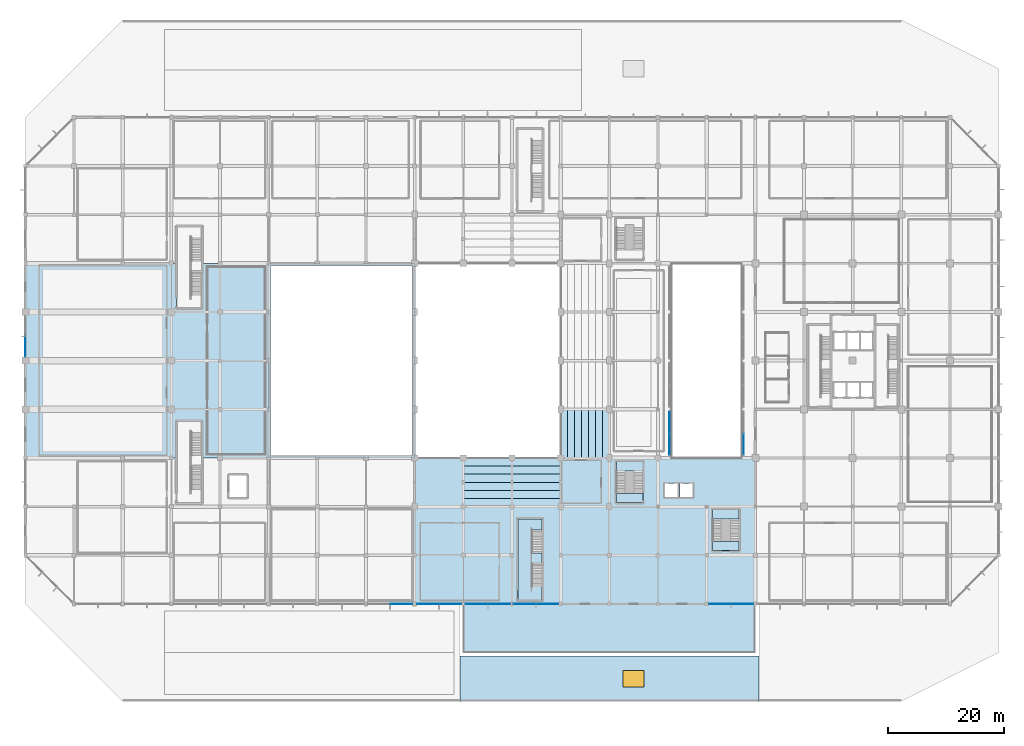
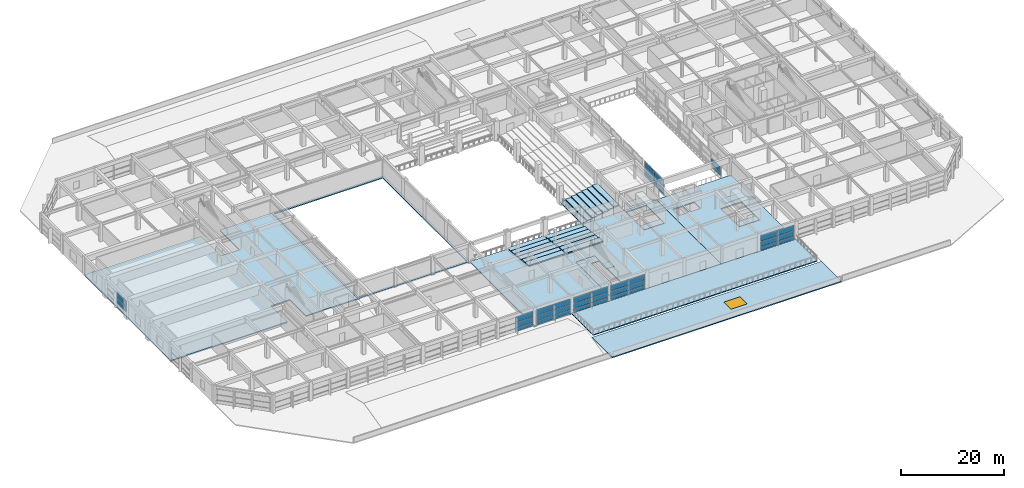
# One storey, part 37 of 60: 37 plates, 15 slabs, 1 window, 1 opening, 11 elements without a shape of their own.
"""IFC4 building model written with IfcOpenShell, lengths in metres."""

from ifc_helpers import new_model, si_unit, direction, frame, origin, origin_2d, place, context, subcontext, project, spatial, polyline, rectangle, outline, extrude, material, layer, layer_set, type_object, element, fill, aggregate, save


model = new_model("IFC4")

# Units and contexts
model_context = context("Model", 3, precision=1e-05, world=origin(), true_north=direction((0.0, 1.0)))
body_context = subcontext(model_context, "Body", "Model", "MODEL_VIEW")
ifc_project = project(units=[si_unit("LENGTHUNIT", "METRE"), si_unit("AREAUNIT", "SQUARE_METRE"), si_unit("VOLUMEUNIT", "CUBIC_METRE"), si_unit("PLANEANGLEUNIT", "RADIAN"), si_unit("MASSUNIT", "GRAM", prefix="KILO")], contexts=[model_context])

# Site, building, storey
site_placement = place(None, origin())
site = spatial("IfcSite", under=ifc_project, at=site_placement, CompositionType="ELEMENT")
building_placement = place(site_placement, origin())
building = spatial("IfcBuilding", under=site, at=building_placement, Name="Xuanlan Plaza Opera House", CompositionType="ELEMENT")
storey_placement = place(building_placement, frame((0.0, 0.0, 9.89990234375)))
storey = spatial("IfcBuildingStorey", under=building, at=storey_placement, Name="L02", CompositionType="ELEMENT", Elevation=9.89990234375)

# Curtain wall, plates
ifc_material_1 = material(Name="Anodised Aluminium 6063-T6 and Low-E Glass", Category="aluminium")
curtain_wall_type_1 = type_object("IfcCurtainWallType", Name="ENV-CW-CW-06", PredefinedType="USERDEFINED", material=ifc_material_1)
curtain_wall_1_placement = place(storey_placement, origin())
curtain_wall_1 = element("IfcCurtainWall", 1, at=curtain_wall_1_placement, inside=storey, type_object=curtain_wall_type_1, Name="Acoustic Glazed Wall L02-009", ObjectType="ACOUSTIC GLAZED WALL", PredefinedType="USERDEFINED")
ifc_material_2 = material(Name="Laminated Acoustic Double Glazing", Category="glass")
ifc_layer_1 = layer(ifc_material_2, 0.028076171875)
ifc_layer_set_1 = layer_set([ifc_layer_1], Name="Laminated Acoustic Double Glazing")
plate_type_1 = type_object("IfcPlateType", Name="ENV-CWP-01", PredefinedType="CURTAIN_PANEL", material=ifc_layer_set_1)
plate_1_placement = place(storey_placement, frame((77.8974609375, 16.800048828125, 0.0703125), z_axis=(0.0, 0.0, 1.0), x_axis=(1.0, 0.0, 0.0)))
plate_1 = element("IfcPlate", 2, at=plate_1_placement, type_object=plate_type_1, Name="CW-06 panel 1.1", PredefinedType="CURTAIN_PANEL", context=body_context, shape_type="SweptSolid", body=[
    extrude(rectangle(XDim=3.804931640625, YDim=0.028076171875, at=origin_2d()), origin(), (0.0, 0.0, 1.0), 0.844970703125),
])
plate_2_placement = place(storey_placement, frame((77.8974609375, 16.800048828125, 0.985107421875), z_axis=(0.0, 0.0, 1.0), x_axis=(1.0, 0.0, 0.0)))
plate_2 = element("IfcPlate", 3, at=plate_2_placement, type_object=plate_type_1, Name="CW-06 panel 1.2", PredefinedType="CURTAIN_PANEL", context=body_context, shape_type="SweptSolid", body=[
    extrude(rectangle(XDim=3.804931640625, YDim=0.028076171875, at=origin_2d()), origin(), (0.0, 0.0, 1.0), 1.22998046875),
])
plate_3_placement = place(storey_placement, frame((77.8974609375, 16.800048828125, 2.28515625), z_axis=(0.0, 0.0, 1.0), x_axis=(1.0, 0.0, 0.0)))
plate_3 = element("IfcPlate", 4, at=plate_3_placement, type_object=plate_type_1, Name="CW-06 panel 1.3", PredefinedType="CURTAIN_PANEL", context=body_context, shape_type="SweptSolid", body=[
    extrude(rectangle(XDim=3.804931640625, YDim=0.028076171875, at=origin_2d()), origin(), (0.0, 0.0, 1.0), 1.324951171875),
])
plate_4_placement = place(storey_placement, frame((81.777587890625, 16.800048828125, 0.0703125), z_axis=(0.0, 0.0, 1.0), x_axis=(1.0, 0.0, 0.0)))
plate_4 = element("IfcPlate", 5, at=plate_4_placement, type_object=plate_type_1, Name="CW-06 panel 2.1", PredefinedType="CURTAIN_PANEL", context=body_context, shape_type="SweptSolid", body=[
    extrude(rectangle(XDim=3.804931640625, YDim=0.028076171875, at=origin_2d()), origin(), (0.0, 0.0, 1.0), 0.844970703125),
])
plate_5_placement = place(storey_placement, frame((81.777587890625, 16.800048828125, 0.985107421875), z_axis=(0.0, 0.0, 1.0), x_axis=(1.0, 0.0, 0.0)))
plate_5 = element("IfcPlate", 6, at=plate_5_placement, type_object=plate_type_1, Name="CW-06 panel 2.2", PredefinedType="CURTAIN_PANEL", context=body_context, shape_type="SweptSolid", body=[
    extrude(rectangle(XDim=3.804931640625, YDim=0.028076171875, at=origin_2d()), origin(), (0.0, 0.0, 1.0), 1.22998046875),
])
plate_6_placement = place(storey_placement, frame((81.777587890625, 16.800048828125, 2.28515625), z_axis=(0.0, 0.0, 1.0), x_axis=(1.0, 0.0, 0.0)))
plate_6 = element("IfcPlate", 7, at=plate_6_placement, type_object=plate_type_1, Name="CW-06 panel 2.3", PredefinedType="CURTAIN_PANEL", context=body_context, shape_type="SweptSolid", body=[
    extrude(rectangle(XDim=3.804931640625, YDim=0.028076171875, at=origin_2d()), origin(), (0.0, 0.0, 1.0), 1.324951171875),
])
aggregate(curtain_wall_1, [plate_1, plate_2, plate_3, plate_4, plate_5, plate_6])

curtain_wall_type_2 = type_object("IfcCurtainWallType", Name="ENV-CW-CW-05", PredefinedType="USERDEFINED", material=ifc_material_1)
curtain_wall_2_placement = place(storey_placement, origin())
curtain_wall_2 = element("IfcCurtainWall", 8, at=curtain_wall_2_placement, inside=storey, type_object=curtain_wall_type_2, Name="Acoustic Glazed Wall L02-014", ObjectType="ACOUSTIC GLAZED WALL", PredefinedType="USERDEFINED")
plate_7_placement = place(storey_placement, frame((119.916259765625, 16.800048828125, 0.0703125), z_axis=(0.0, 0.0, 1.0), x_axis=(1.0, 0.0, 0.0)))
plate_7 = element("IfcPlate", 9, at=plate_7_placement, type_object=plate_type_1, Name="CW-05 panel 1.1", PredefinedType="CURTAIN_PANEL", context=body_context, shape_type="SweptSolid", body=[
    extrude(rectangle(XDim=3.742431640625, YDim=0.028076171875, at=origin_2d()), origin(), (0.0, 0.0, 1.0), 0.844970703125),
])
plate_8_placement = place(storey_placement, frame((119.916259765625, 16.800048828125, 0.985107421875), z_axis=(0.0, 0.0, 1.0), x_axis=(1.0, 0.0, 0.0)))
plate_8 = element("IfcPlate", 10, at=plate_8_placement, type_object=plate_type_1, Name="CW-05 panel 1.2", PredefinedType="CURTAIN_PANEL", context=body_context, shape_type="SweptSolid", body=[
    extrude(rectangle(XDim=3.742431640625, YDim=0.028076171875, at=origin_2d()), origin(), (0.0, 0.0, 1.0), 1.22998046875),
])
plate_9_placement = place(storey_placement, frame((119.916259765625, 16.800048828125, 2.28515625), z_axis=(0.0, 0.0, 1.0), x_axis=(1.0, 0.0, 0.0)))
plate_9 = element("IfcPlate", 11, at=plate_9_placement, type_object=plate_type_1, Name="CW-05 panel 1.3", PredefinedType="CURTAIN_PANEL", context=body_context, shape_type="SweptSolid", body=[
    extrude(rectangle(XDim=3.742431640625, YDim=0.028076171875, at=origin_2d()), origin(), (0.0, 0.0, 1.0), 1.324951171875),
])
plate_10_placement = place(storey_placement, frame((123.733642578125, 16.800048828125, 0.0703125), z_axis=(0.0, 0.0, 1.0), x_axis=(1.0, 0.0, 0.0)))
plate_10 = element("IfcPlate", 12, at=plate_10_placement, type_object=plate_type_1, Name="CW-05 panel 2.1", PredefinedType="CURTAIN_PANEL", context=body_context, shape_type="SweptSolid", body=[
    extrude(rectangle(XDim=3.742431640625, YDim=0.028076171875, at=origin_2d()), origin(), (0.0, 0.0, 1.0), 0.844970703125),
])
plate_11_placement = place(storey_placement, frame((123.733642578125, 16.800048828125, 0.985107421875), z_axis=(0.0, 0.0, 1.0), x_axis=(1.0, 0.0, 0.0)))
plate_11 = element("IfcPlate", 13, at=plate_11_placement, type_object=plate_type_1, Name="CW-05 panel 2.2", PredefinedType="CURTAIN_PANEL", context=body_context, shape_type="SweptSolid", body=[
    extrude(rectangle(XDim=3.742431640625, YDim=0.028076171875, at=origin_2d()), origin(), (0.0, 0.0, 1.0), 1.22998046875),
])
plate_12_placement = place(storey_placement, frame((123.733642578125, 16.800048828125, 2.28515625), z_axis=(0.0, 0.0, 1.0), x_axis=(1.0, 0.0, 0.0)))
plate_12 = element("IfcPlate", 14, at=plate_12_placement, type_object=plate_type_1, Name="CW-05 panel 2.3", PredefinedType="CURTAIN_PANEL", context=body_context, shape_type="SweptSolid", body=[
    extrude(rectangle(XDim=3.742431640625, YDim=0.028076171875, at=origin_2d()), origin(), (0.0, 0.0, 1.0), 1.324951171875),
])
aggregate(curtain_wall_2, [plate_7, plate_8, plate_9, plate_10, plate_11, plate_12])

curtain_wall_type_3 = type_object("IfcCurtainWallType", Name="ENV-CW-CW-03", PredefinedType="USERDEFINED", material=ifc_material_1)
curtain_wall_3_placement = place(storey_placement, origin())
curtain_wall_3 = element("IfcCurtainWall", 15, at=curtain_wall_3_placement, inside=storey, type_object=curtain_wall_type_3, Name="Unitised Curtain Wall L02-051", ObjectType="UNITISED CURTAIN WALL", PredefinedType="USERDEFINED")
ifc_layer_2 = layer(ifc_material_2, 0.031982421875)
ifc_layer_set_2 = layer_set([ifc_layer_2], Name="Laminated Acoustic Double Glazing")
plate_type_2 = type_object("IfcPlateType", Name="ENV-CWP-02", PredefinedType="CURTAIN_PANEL", material=ifc_layer_set_2)
plate_13_placement = place(storey_placement, frame((0.0, 61.232421875, 0.982421875), z_axis=(0.0, 0.0, 1.0), x_axis=(0.0, -1.0, 0.0)))
plate_13 = element("IfcPlate", 16, at=plate_13_placement, type_object=plate_type_2, Name="CW-03 panel 2.2", PredefinedType="CURTAIN_PANEL", context=body_context, shape_type="SweptSolid", body=[
    extrude(rectangle(XDim=3.445068359375, YDim=0.031982421875, at=origin_2d()), origin(), (0.0, 0.0, 1.0), 1.235107421875),
])
plate_14_placement = place(storey_placement, frame((0.0, 61.232421875, 2.282470703125), z_axis=(0.0, 0.0, 1.0), x_axis=(0.0, -1.0, 0.0)))
plate_14 = element("IfcPlate", 17, at=plate_14_placement, type_object=plate_type_2, Name="CW-03 panel 2.3", PredefinedType="CURTAIN_PANEL", context=body_context, shape_type="SweptSolid", body=[
    extrude(rectangle(XDim=3.445068359375, YDim=0.031982421875, at=origin_2d()), origin(), (0.0, 0.0, 1.0), 1.33251953125),
])
aggregate(curtain_wall_3, [plate_13, plate_14])

curtain_wall_4_placement = place(storey_placement, origin())
curtain_wall_4 = element("IfcCurtainWall", 18, at=curtain_wall_4_placement, inside=storey, type_object=curtain_wall_type_2, Name="Acoustic Glazed Wall L02-008", ObjectType="ACOUSTIC GLAZED WALL", PredefinedType="USERDEFINED")
ifc_layer_3 = layer(ifc_material_2, 0.035888671875)
ifc_layer_set_3 = layer_set([ifc_layer_3], Name="Laminated Acoustic Double Glazing")
plate_type_3 = type_object("IfcPlateType", Name="ENV-CWP-03", PredefinedType="CURTAIN_PANEL", material=ifc_layer_set_3)
plate_15_placement = place(storey_placement, frame((69.514892578125, 16.800048828125, 0.090087890625), z_axis=(0.0, 0.0, 1.0), x_axis=(1.0, 0.0, 0.0)))
plate_15 = element("IfcPlate", 19, at=plate_15_placement, type_object=plate_type_3, Name="CW-05 panel 1.1", PredefinedType="CURTAIN_PANEL", context=body_context, shape_type="SweptSolid", body=[
    extrude(rectangle(XDim=3.75, YDim=0.035888671875, at=origin_2d()), origin(), (0.0, 0.0, 1.0), 0.81494140625),
])
plate_16_placement = place(storey_placement, frame((69.514892578125, 16.800048828125, 0.9951171875), z_axis=(0.0, 0.0, 1.0), x_axis=(1.0, 0.0, 0.0)))
plate_16 = element("IfcPlate", 20, at=plate_16_placement, type_object=plate_type_3, Name="CW-05 panel 1.2", PredefinedType="CURTAIN_PANEL", context=body_context, shape_type="SweptSolid", body=[
    extrude(rectangle(XDim=3.75, YDim=0.035888671875, at=origin_2d()), origin(), (0.0, 0.0, 1.0), 1.2099609375),
])
plate_17_placement = place(storey_placement, frame((69.514892578125, 16.800048828125, 2.295166015625), z_axis=(0.0, 0.0, 1.0), x_axis=(1.0, 0.0, 0.0)))
plate_17 = element("IfcPlate", 21, at=plate_17_placement, type_object=plate_type_3, Name="CW-05 panel 1.3", PredefinedType="CURTAIN_PANEL", context=body_context, shape_type="SweptSolid", body=[
    extrude(rectangle(XDim=3.75, YDim=0.035888671875, at=origin_2d()), origin(), (0.0, 0.0, 1.0), 1.294921875),
])
plate_18_placement = place(storey_placement, frame((73.3349609375, 16.800048828125, 0.090087890625), z_axis=(0.0, 0.0, 1.0), x_axis=(1.0, 0.0, 0.0)))
plate_18 = element("IfcPlate", 22, at=plate_18_placement, type_object=plate_type_3, Name="CW-05 panel 2.1", PredefinedType="CURTAIN_PANEL", context=body_context, shape_type="SweptSolid", body=[
    extrude(rectangle(XDim=3.75, YDim=0.035888671875, at=origin_2d()), origin(), (0.0, 0.0, 1.0), 0.81494140625),
])
plate_19_placement = place(storey_placement, frame((73.3349609375, 16.800048828125, 0.9951171875), z_axis=(0.0, 0.0, 1.0), x_axis=(1.0, 0.0, 0.0)))
plate_19 = element("IfcPlate", 23, at=plate_19_placement, type_object=plate_type_3, Name="CW-05 panel 2.2", PredefinedType="CURTAIN_PANEL", context=body_context, shape_type="SweptSolid", body=[
    extrude(rectangle(XDim=3.75, YDim=0.035888671875, at=origin_2d()), origin(), (0.0, 0.0, 1.0), 1.2099609375),
])
plate_20_placement = place(storey_placement, frame((73.3349609375, 16.800048828125, 2.295166015625), z_axis=(0.0, 0.0, 1.0), x_axis=(1.0, 0.0, 0.0)))
plate_20 = element("IfcPlate", 24, at=plate_20_placement, type_object=plate_type_3, Name="CW-05 panel 2.3", PredefinedType="CURTAIN_PANEL", context=body_context, shape_type="SweptSolid", body=[
    extrude(rectangle(XDim=3.75, YDim=0.035888671875, at=origin_2d()), origin(), (0.0, 0.0, 1.0), 1.294921875),
])
aggregate(curtain_wall_4, [plate_15, plate_16, plate_17, plate_18, plate_19, plate_20])

curtain_wall_5_placement = place(storey_placement, origin())
curtain_wall_5 = element("IfcCurtainWall", 25, at=curtain_wall_5_placement, inside=storey, type_object=curtain_wall_type_2, Name="Acoustic Glazed Wall L02-010", ObjectType="ACOUSTIC GLAZED WALL", PredefinedType="USERDEFINED")
ifc_layer_4 = layer(ifc_material_2, 0.0400390625)
ifc_layer_set_4 = layer_set([ifc_layer_4], Name="Laminated Acoustic Double Glazing")
plate_type_4 = type_object("IfcPlateType", Name="ENV-CWP-04", PredefinedType="CURTAIN_PANEL", material=ifc_layer_set_4)
plate_21_placement = place(storey_placement, frame((86.211181640625, 16.800048828125, 0.080078125), z_axis=(0.0, 0.0, 1.0), x_axis=(1.0, 0.0, 0.0)))
plate_21 = element("IfcPlate", 26, at=plate_21_placement, type_object=plate_type_4, Name="CW-05 panel 1.1", PredefinedType="CURTAIN_PANEL", context=body_context, shape_type="SweptSolid", body=[
    extrude(rectangle(XDim=3.7724609375, YDim=0.0400390625, at=origin_2d()), origin(), (0.0, 0.0, 1.0), 0.830078125),
])
plate_22_placement = place(storey_placement, frame((86.211181640625, 16.800048828125, 0.990234375), z_axis=(0.0, 0.0, 1.0), x_axis=(1.0, 0.0, 0.0)))
plate_22 = element("IfcPlate", 27, at=plate_22_placement, type_object=plate_type_4, Name="CW-05 panel 1.2", PredefinedType="CURTAIN_PANEL", context=body_context, shape_type="SweptSolid", body=[
    extrude(rectangle(XDim=3.7724609375, YDim=0.0400390625, at=origin_2d()), origin(), (0.0, 0.0, 1.0), 1.219970703125),
])
plate_23_placement = place(storey_placement, frame((86.211181640625, 16.800048828125, 2.2900390625), z_axis=(0.0, 0.0, 1.0), x_axis=(1.0, 0.0, 0.0)))
plate_23 = element("IfcPlate", 28, at=plate_23_placement, type_object=plate_type_4, Name="CW-05 panel 1.3", PredefinedType="CURTAIN_PANEL", context=body_context, shape_type="SweptSolid", body=[
    extrude(rectangle(XDim=3.7724609375, YDim=0.0400390625, at=origin_2d()), origin(), (0.0, 0.0, 1.0), 1.31005859375),
])
plate_24_placement = place(storey_placement, frame((90.063720703125, 16.800048828125, 0.080078125), z_axis=(0.0, 0.0, 1.0), x_axis=(1.0, 0.0, 0.0)))
plate_24 = element("IfcPlate", 29, at=plate_24_placement, type_object=plate_type_4, Name="CW-05 panel 2.1", PredefinedType="CURTAIN_PANEL", context=body_context, shape_type="SweptSolid", body=[
    extrude(rectangle(XDim=3.7724609375, YDim=0.0400390625, at=origin_2d()), origin(), (0.0, 0.0, 1.0), 0.830078125),
])
plate_25_placement = place(storey_placement, frame((90.063720703125, 16.800048828125, 0.990234375), z_axis=(0.0, 0.0, 1.0), x_axis=(1.0, 0.0, 0.0)))
plate_25 = element("IfcPlate", 30, at=plate_25_placement, type_object=plate_type_4, Name="CW-05 panel 2.2", PredefinedType="CURTAIN_PANEL", context=body_context, shape_type="SweptSolid", body=[
    extrude(rectangle(XDim=3.7724609375, YDim=0.0400390625, at=origin_2d()), origin(), (0.0, 0.0, 1.0), 1.219970703125),
])
plate_26_placement = place(storey_placement, frame((90.063720703125, 16.800048828125, 2.2900390625), z_axis=(0.0, 0.0, 1.0), x_axis=(1.0, 0.0, 0.0)))
plate_26 = element("IfcPlate", 31, at=plate_26_placement, type_object=plate_type_4, Name="CW-05 panel 2.3", PredefinedType="CURTAIN_PANEL", context=body_context, shape_type="SweptSolid", body=[
    extrude(rectangle(XDim=3.7724609375, YDim=0.0400390625, at=origin_2d()), origin(), (0.0, 0.0, 1.0), 1.31005859375),
])
aggregate(curtain_wall_5, [plate_21, plate_22, plate_23, plate_24, plate_25, plate_26])

curtain_wall_6_placement = place(storey_placement, origin())
curtain_wall_6 = element("IfcCurtainWall", 32, at=curtain_wall_6_placement, inside=storey, type_object=curtain_wall_type_1, Name="Acoustic Glazed Wall L02-007", ObjectType="ACOUSTIC GLAZED WALL", PredefinedType="USERDEFINED")
ifc_layer_5 = layer(ifc_material_2, 0.0439453125)
ifc_layer_set_5 = layer_set([ifc_layer_5], Name="Laminated Acoustic Double Glazing")
plate_type_5 = type_object("IfcPlateType", Name="ENV-CWP-05", PredefinedType="CURTAIN_PANEL", material=ifc_layer_set_5)
plate_27_placement = place(storey_placement, frame((64.873779296875, 16.800048828125, 0.0751953125), z_axis=(0.0, 0.0, 1.0), x_axis=(1.0, 0.0, 0.0)))
plate_27 = element("IfcPlate", 33, at=plate_27_placement, type_object=plate_type_5, Name="CW-06 panel 2.1", PredefinedType="CURTAIN_PANEL", context=body_context, shape_type="SweptSolid", body=[
    extrude(rectangle(XDim=3.782470703125, YDim=0.0439453125, at=origin_2d()), origin(), (0.0, 0.0, 1.0), 0.83740234375),
])
plate_28_placement = place(storey_placement, frame((64.873779296875, 16.800048828125, 0.987548828125), z_axis=(0.0, 0.0, 1.0), x_axis=(1.0, 0.0, 0.0)))
plate_28 = element("IfcPlate", 34, at=plate_28_placement, type_object=plate_type_5, Name="CW-06 panel 2.2", PredefinedType="CURTAIN_PANEL", context=body_context, shape_type="SweptSolid", body=[
    extrude(rectangle(XDim=3.782470703125, YDim=0.0439453125, at=origin_2d()), origin(), (0.0, 0.0, 1.0), 1.22509765625),
])
plate_29_placement = place(storey_placement, frame((64.873779296875, 16.800048828125, 2.28759765625), z_axis=(0.0, 0.0, 1.0), x_axis=(1.0, 0.0, 0.0)))
plate_29 = element("IfcPlate", 35, at=plate_29_placement, type_object=plate_type_5, Name="CW-06 panel 2.3", PredefinedType="CURTAIN_PANEL", context=body_context, shape_type="SweptSolid", body=[
    extrude(rectangle(XDim=3.782470703125, YDim=0.0439453125, at=origin_2d()), origin(), (0.0, 0.0, 1.0), 1.3173828125),
])
aggregate(curtain_wall_6, [plate_27, plate_28, plate_29])

curtain_wall_7_placement = place(storey_placement, origin())
curtain_wall_7 = element("IfcCurtainWall", 36, at=curtain_wall_7_placement, inside=storey, type_object=curtain_wall_type_1, Name="Acoustic Glazed Wall ATR-L02-11", ObjectType="ACOUSTIC GLAZED WALL", PredefinedType="USERDEFINED")
plate_30_placement = place(storey_placement, frame((111.199951171875, 44.37255859375, 0.090087890625), z_axis=(0.0, 0.0, 1.0), x_axis=(0.0, 1.0, 0.0)))
plate_30 = element("IfcPlate", 37, at=plate_30_placement, type_object=plate_type_5, Name="CW-06 panel 1.1", PredefinedType="CURTAIN_PANEL", context=body_context, shape_type="SweptSolid", body=[
    extrude(rectangle(XDim=3.6650390625, YDim=0.0439453125, at=origin_2d()), origin(), (0.0, 0.0, 1.0), 0.81494140625),
])
plate_31_placement = place(storey_placement, frame((111.199951171875, 44.37255859375, 0.9951171875), z_axis=(0.0, 0.0, 1.0), x_axis=(0.0, 1.0, 0.0)))
plate_31 = element("IfcPlate", 38, at=plate_31_placement, type_object=plate_type_5, Name="CW-06 panel 1.2", PredefinedType="CURTAIN_PANEL", context=body_context, shape_type="SweptSolid", body=[
    extrude(rectangle(XDim=3.6650390625, YDim=0.0439453125, at=origin_2d()), origin(), (0.0, 0.0, 1.0), 1.2099609375),
])
plate_32_placement = place(storey_placement, frame((111.199951171875, 44.37255859375, 2.295166015625), z_axis=(0.0, 0.0, 1.0), x_axis=(0.0, 1.0, 0.0)))
plate_32 = element("IfcPlate", 39, at=plate_32_placement, type_object=plate_type_5, Name="CW-06 panel 1.3", PredefinedType="CURTAIN_PANEL", context=body_context, shape_type="SweptSolid", body=[
    extrude(rectangle(XDim=3.6650390625, YDim=0.0439453125, at=origin_2d()), origin(), (0.0, 0.0, 1.0), 1.294921875),
])
plate_33_placement = place(storey_placement, frame((111.199951171875, 48.12744140625, 0.090087890625), z_axis=(0.0, 0.0, 1.0), x_axis=(0.0, 1.0, 0.0)))
plate_33 = element("IfcPlate", 40, at=plate_33_placement, type_object=plate_type_5, Name="CW-06 panel 2.1", PredefinedType="CURTAIN_PANEL", context=body_context, shape_type="SweptSolid", body=[
    extrude(rectangle(XDim=3.6650390625, YDim=0.0439453125, at=origin_2d()), origin(), (0.0, 0.0, 1.0), 0.81494140625),
])
plate_34_placement = place(storey_placement, frame((111.199951171875, 48.12744140625, 0.9951171875), z_axis=(0.0, 0.0, 1.0), x_axis=(0.0, 1.0, 0.0)))
plate_34 = element("IfcPlate", 41, at=plate_34_placement, type_object=plate_type_5, Name="CW-06 panel 2.2", PredefinedType="CURTAIN_PANEL", context=body_context, shape_type="SweptSolid", body=[
    extrude(rectangle(XDim=3.6650390625, YDim=0.0439453125, at=origin_2d()), origin(), (0.0, 0.0, 1.0), 1.2099609375),
])
plate_35_placement = place(storey_placement, frame((111.199951171875, 48.12744140625, 2.295166015625), z_axis=(0.0, 0.0, 1.0), x_axis=(0.0, 1.0, 0.0)))
plate_35 = element("IfcPlate", 42, at=plate_35_placement, type_object=plate_type_5, Name="CW-06 panel 2.3", PredefinedType="CURTAIN_PANEL", context=body_context, shape_type="SweptSolid", body=[
    extrude(rectangle(XDim=3.6650390625, YDim=0.0439453125, at=origin_2d()), origin(), (0.0, 0.0, 1.0), 1.294921875),
])
aggregate(curtain_wall_7, [plate_30, plate_31, plate_32, plate_33, plate_34, plate_35])

curtain_wall_8_placement = place(storey_placement, origin())
curtain_wall_8 = element("IfcCurtainWall", 43, at=curtain_wall_8_placement, inside=storey, type_object=curtain_wall_type_1, Name="Acoustic Glazed Wall ATR-L02-21", ObjectType="ACOUSTIC GLAZED WALL", PredefinedType="USERDEFINED")
plate_36_placement = place(storey_placement, frame((124.0, 44.37255859375, 0.090087890625), z_axis=(0.0, 0.0, 1.0), x_axis=(0.0, 1.0, 0.0)))
plate_36 = element("IfcPlate", 44, at=plate_36_placement, type_object=plate_type_5, Name="CW-06 panel 1.1", PredefinedType="CURTAIN_PANEL", context=body_context, shape_type="SweptSolid", body=[
    extrude(rectangle(XDim=3.6650390625, YDim=0.0439453125, at=origin_2d()), origin(), (0.0, 0.0, 1.0), 0.81494140625),
])
plate_37_placement = place(storey_placement, frame((124.0, 44.37255859375, 0.9951171875), z_axis=(0.0, 0.0, 1.0), x_axis=(0.0, 1.0, 0.0)))
plate_37 = element("IfcPlate", 45, at=plate_37_placement, type_object=plate_type_5, Name="CW-06 panel 1.2", PredefinedType="CURTAIN_PANEL", context=body_context, shape_type="SweptSolid", body=[
    extrude(rectangle(XDim=3.6650390625, YDim=0.0439453125, at=origin_2d()), origin(), (0.0, 0.0, 1.0), 1.2099609375),
])
aggregate(curtain_wall_8, [plate_36, plate_37])

# Stair, slabs
ifc_material_3 = material(Name="Concrete C40", Category="concrete")
stair_type_1 = type_object("IfcStairType", Name="INT-ST-STR-F130", PredefinedType="HALF_TURN_STAIR", material=ifc_material_3)
stair_1_placement = place(storey_placement, origin())
stair_1 = element("IfcStair", 46, at=stair_1_placement, inside=storey, type_object=stair_type_1, Name="Grand Foyer Feature Stair ST-F1 L02", PredefinedType="HALF_TURN_STAIR")
ifc_layer_6 = layer(ifc_material_3, 0.18994140625)
ifc_layer_set_6 = layer_set([ifc_layer_6], Name="Concrete C40")
slab_type_1 = type_object("IfcSlabType", Name="INT-SLB-LND-19", PredefinedType="LANDING", material=ifc_layer_set_6)
slab_1_placement = place(storey_placement, frame((0.0, 0.0, 2.06005859375)))
slab_1 = element("IfcSlab", 47, at=slab_1_placement, type_object=slab_type_1, Name="ST-F1-L02 landing 1", PredefinedType="LANDING", context=body_context, shape_type="SweptSolid", body=[
    extrude(outline(polyline([(102.0, 39.77490234375), (106.60009765625, 39.77490234375), (106.60009765625, 41.3798828125), (102.0, 41.3798828125), (102.0, 39.77490234375)])), origin(), (0.0, 0.0, 1.0), 0.18994140625),
])
slab_2_placement = place(storey_placement, frame((0.0, 0.0, -0.18994140625)))
slab_2 = element("IfcSlab", 48, at=slab_2_placement, type_object=slab_type_1, Name="ST-F1-L02 landing 2", PredefinedType="LANDING", context=body_context, shape_type="SweptSolid", body=[
    extrude(outline(polyline([(102.0, 34.300048828125), (106.60009765625, 34.300048828125), (106.60009765625, 35.905029296875), (102.0, 35.905029296875), (102.0, 34.300048828125)])), origin(), (0.0, 0.0, 1.0), 0.18994140625),
])
aggregate(stair_1, [slab_1, slab_2])

stair_type_2 = type_object("IfcStairType", Name="INT-ST-STR-F135", PredefinedType="HALF_TURN_STAIR", material=ifc_material_3)
stair_2_placement = place(storey_placement, origin())
stair_2 = element("IfcStair", 49, at=stair_2_placement, inside=storey, type_object=stair_type_2, Name="Grand Foyer Feature Stair ST-F3 L02", PredefinedType="HALF_TURN_STAIR")
slab_3_placement = place(storey_placement, frame((0.0, 0.0, 2.06005859375)))
slab_3 = element("IfcSlab", 50, at=slab_3_placement, type_object=slab_type_1, Name="ST-F3-L02 landing 1", PredefinedType="LANDING", context=body_context, shape_type="SweptSolid", body=[
    extrude(outline(polyline([(118.60009765625, 31.47509765625), (123.199951171875, 31.47509765625), (123.199951171875, 33.080078125), (118.60009765625, 33.080078125), (118.60009765625, 31.47509765625)])), origin(), (0.0, 0.0, 1.0), 0.18994140625),
])
slab_4_placement = place(storey_placement, frame((0.0, 0.0, -0.18994140625)))
slab_4 = element("IfcSlab", 51, at=slab_4_placement, type_object=slab_type_1, Name="ST-F3-L02 landing 2", PredefinedType="LANDING", context=body_context, shape_type="SweptSolid", body=[
    extrude(outline(polyline([(118.60009765625, 26.0), (123.199951171875, 26.0), (123.199951171875, 27.60498046875), (118.60009765625, 27.60498046875), (118.60009765625, 26.0)])), origin(), (0.0, 0.0, 1.0), 0.18994140625),
])
aggregate(stair_2, [slab_3, slab_4])

stair_type_3 = type_object("IfcStairType", Name="INT-ST-STR-P180", PredefinedType="STRAIGHT_RUN_STAIR", material=ifc_material_3)
stair_3_placement = place(storey_placement, origin())
stair_3 = element("IfcStair", 52, at=stair_3_placement, inside=storey, type_object=stair_type_3, Name="Protected Exit Stair ST-P3 L02", PredefinedType="STRAIGHT_RUN_STAIR")
ifc_layer_7 = layer(ifc_material_3, 0.199951171875)
ifc_layer_set_7 = layer_set([ifc_layer_7], Name="Concrete C40")
slab_type_2 = type_object("IfcSlabType", Name="INT-SLB-LND-20", PredefinedType="LANDING", material=ifc_layer_set_7)
slab_5_placement = place(storey_placement, frame((0.0, 0.0, 2.050048828125)))
slab_5 = element("IfcSlab", 53, at=slab_5_placement, type_object=slab_type_2, Name="ST-P3-L02 landing 1", PredefinedType="LANDING", context=body_context, shape_type="SweptSolid", body=[
    extrude(outline(polyline([(87.39990234375, 23.735107421875), (89.199951171875, 23.735107421875), (89.199951171875, 25.635009765625), (87.39990234375, 25.635009765625), (87.39990234375, 23.735107421875)])), origin(), (0.0, 0.0, 1.0), 0.199951171875),
])
slab_6_placement = place(storey_placement, frame((0.0, 0.0, -0.199951171875)))
slab_6 = element("IfcSlab", 54, at=slab_6_placement, type_object=slab_type_2, Name="ST-P3-L02 landing 2", PredefinedType="LANDING", context=body_context, shape_type="SweptSolid", body=[
    extrude(outline(polyline([(85.0, 17.5), (89.199951171875, 17.5), (89.199951171875, 19.794921875), (87.39990234375, 19.794921875), (87.39990234375, 29.574951171875), (89.199951171875, 29.574951171875), (89.199951171875, 31.5), (85.0, 31.5), (85.0, 17.5)])), origin(), (0.0, 0.0, 1.0), 0.199951171875),
])
aggregate(stair_3, [slab_5, slab_6])

# Slab, opening, window
ifc_layer_8 = layer(ifc_material_3, 0.25)
ifc_layer_set_8 = layer_set([ifc_layer_8], Name="Concrete C40")
slab_type_3 = type_object("IfcSlabType", Name="STR-SLB-RF-01", PredefinedType="ROOF", material=ifc_layer_set_8)
slab_7_placement = place(storey_placement, frame((0.0, 0.0, -0.25)))
slab_7 = element("IfcSlab", 55, at=slab_7_placement, inside=storey, type_object=slab_type_3, Name="South Foyer Arcade Roof Slab", PredefinedType="ROOF", context=body_context, shape_type="SweptSolid", body=[
    extrude(outline(polyline([(75.0, 0.0), (126.60009765625, 0.0), (126.60009765625, 7.800048828125), (75.0, 7.800048828125), (75.0, 0.0)]), holes=[polyline([(103.199951171875, 2.5), (106.800048828125, 2.5), (106.800048828125, 5.300048828125), (103.199951171875, 5.300048828125), (103.199951171875, 2.5)])]), origin(), (0.0, 0.0, 1.0), 0.25),
])
opening_placement = place(slab_7_placement, frame((105.0, 3.89990234375, 0.0)))
opening = element("IfcOpeningElement", 56, at=opening_placement, cuts=slab_7, Name="Opening SK-03", PredefinedType="OPENING", context=body_context, shape_type="SweptSolid", body=[
    extrude(rectangle(XDim=3.60009765625, YDim=2.800048828125, at=origin_2d()), origin(), (0.0, 0.0, 1.0), 0.25),
])
window_type = type_object("IfcWindowType", Name="ENV-WN-SK-03", PartitioningType="SINGLE_PANEL", PredefinedType="SKYLIGHT", material=ifc_material_1)
window_placement = place(opening_placement, frame((0.0, 0.0, 0.199951171875)))
window = element("IfcWindow", 57, at=window_placement, inside=storey, type_object=window_type, Name="South Foyer Arcade Roof Skylight", OverallHeight=2.800048828125, OverallWidth=3.60009765625, PartitioningType="SINGLE_PANEL", PredefinedType="SKYLIGHT", context=body_context, shape_type="SweptSolid", body=[
    extrude(rectangle(XDim=3.60009765625, YDim=2.800048828125, at=origin_2d()), origin(), (0.0, 0.0, 1.0), 0.050048828125),
])
fill(opening, window)

# Slabs
ifc_layer_9 = layer(ifc_material_3, 0.260009765625)
ifc_layer_set_9 = layer_set([ifc_layer_9], Name="Concrete C40")
slab_type_4 = type_object("IfcSlabType", Name="STR-SLB-SL-02", PredefinedType="FLOOR", material=ifc_layer_set_9)
slab_8_placement = place(storey_placement, frame((0.0, 0.0, -0.260009765625)))
element("IfcSlab", 58, at=slab_8_placement, inside=storey, type_object=slab_type_4, Name="Storey L02 Structural Floor Slab Zone 02", PredefinedType="FLOOR", context=body_context, shape_type="SweptSolid", body=[
    extrude(outline(polyline([(0.0, 75.60009765625), (26.199951171875, 75.60009765625), (26.199951171875, 67.89990234375), (30.39990234375, 67.89990234375), (30.39990234375, 75.60009765625), (42.0, 75.60009765625), (42.0, 42.0), (30.39990234375, 42.0), (30.39990234375, 48.300048828125), (26.199951171875, 48.300048828125), (26.199951171875, 42.0), (0.0, 42.0), (0.0, 75.60009765625)])), origin(), (0.0, 0.0, 1.0), 0.260009765625),
])
slab_9_placement = place(storey_placement, frame((0.0, 0.0, -0.260009765625)))
element("IfcSlab", 59, at=slab_9_placement, inside=storey, type_object=slab_type_4, Name="Storey L02 Structural Floor Slab Zone 05", PredefinedType="FLOOR", context=body_context, shape_type="SweptSolid", body=[
    extrude(outline(polyline([(67.199951171875, 42.0), (42.0, 42.0), (42.0, 75.60009765625), (67.199951171875, 75.60009765625), (67.199951171875, 42.0)]), holes=[polyline([(42.39990234375, 42.39990234375), (66.800048828125, 42.39990234375), (66.800048828125, 75.199951171875), (42.39990234375, 75.199951171875), (42.39990234375, 42.39990234375)])]), origin(), (0.0, 0.0, 1.0), 0.260009765625),
])
slab_10_placement = place(storey_placement, frame((0.0, 0.0, -0.260009765625)))
element("IfcSlab", 60, at=slab_10_placement, inside=storey, type_object=slab_type_4, Name="Storey L02 Structural Floor Slab Zone 07", PredefinedType="FLOOR", context=body_context, shape_type="SweptSolid", body=[
    extrude(outline(polyline([(67.199951171875, 16.800048828125), (67.199951171875, 42.0), (100.800048828125, 42.0), (109.199951171875, 42.0), (109.199951171875, 16.800048828125), (67.199951171875, 16.800048828125)]), holes=[polyline([(89.199951171875, 31.5), (85.0, 31.5), (85.0, 17.5), (89.199951171875, 17.5), (89.199951171875, 31.5)]), polyline([(102.0, 34.300048828125), (106.60009765625, 34.300048828125), (106.60009765625, 41.3798828125), (102.0, 41.3798828125), (102.0, 34.300048828125)])]), origin(), (0.0, 0.0, 1.0), 0.260009765625),
])
slab_11_placement = place(storey_placement, frame((0.0, 0.0, -0.260009765625)))
element("IfcSlab", 61, at=slab_11_placement, inside=storey, type_object=slab_type_4, Name="Storey L02 Structural Floor Slab Zone 10", PredefinedType="FLOOR", context=body_context, shape_type="SweptSolid", body=[
    extrude(outline(polyline([(109.199951171875, 16.800048828125), (109.199951171875, 42.0), (111.60009765625, 42.0), (123.60009765625, 42.0), (126.0, 42.0), (126.0, 16.800048828125), (109.199951171875, 16.800048828125)]), holes=[polyline([(123.199951171875, 33.080078125), (118.60009765625, 33.080078125), (118.60009765625, 26.0), (123.199951171875, 26.0), (123.199951171875, 33.080078125)]), polyline([(110.39990234375, 37.60009765625), (110.39990234375, 35.199951171875), (112.60009765625, 35.199951171875), (112.60009765625, 37.60009765625), (110.39990234375, 37.60009765625)]), polyline([(115.199951171875, 37.60009765625), (113.0, 37.60009765625), (113.0, 35.199951171875), (115.199951171875, 35.199951171875), (115.199951171875, 37.60009765625)])]), origin(), (0.0, 0.0, 1.0), 0.260009765625),
])
ifc_layer_10 = layer(ifc_material_3, 0.219970703125)
ifc_layer_set_10 = layer_set([ifc_layer_10], Name="Concrete C40")
slab_type_5 = type_object("IfcSlabType", Name="STR-SLB-SL-TR1", PredefinedType="FLOOR", material=ifc_layer_set_10)
slab_12_placement = place(storey_placement, frame((0.0, 0.0, -0.219970703125)))
element("IfcSlab", 62, at=slab_12_placement, inside=storey, type_object=slab_type_5, Name="South Plaza Civic Foyer Promenade Terrace", PredefinedType="FLOOR", context=body_context, shape_type="SweptSolid", body=[
    extrude(outline(polyline([(75.60009765625, 8.39990234375), (126.0, 8.39990234375), (126.0, 16.800048828125), (75.60009765625, 16.800048828125), (75.60009765625, 8.39990234375)])), origin(), (0.0, 0.0, 1.0), 0.219970703125),
])
ifc_layer_11 = layer(ifc_material_3, 0.27001953125)
ifc_layer_set_11 = layer_set([ifc_layer_11], Name="Concrete C40")
slab_type_6 = type_object("IfcSlabType", Name="STR-SLB-TIER-02", PredefinedType="USERDEFINED", material=ifc_layer_set_11)
slab_13_placement = place(storey_placement, frame((92.39990234375, 46.199951171875, 0.0), z_axis=(0.0, 0.0, 1.0), x_axis=(1.0, 0.0, 0.0)))
element("IfcSlab", 63, at=slab_13_placement, inside=storey, type_object=slab_type_6, Name="Auditorium Dress Seating Tier Bay 1", ObjectType="SEATING TIER", PredefinedType="USERDEFINED", context=body_context, shape_type="SweptSolid", body=[
    extrude(outline(polyline([(0.0, 0.0), (0.0, 0.27001953125), (1.199951171875, 0.27001953125), (1.199951171875, 0.510009765625), (2.39990234375, 0.510009765625), (2.39990234375, 0.75), (3.60009765625, 0.75), (3.60009765625, 0.989990234375), (4.800048828125, 0.989990234375), (4.800048828125, 1.22998046875), (6.0, 1.22998046875), (6.0, 1.469970703125), (7.199951171875, 1.469970703125), (7.199951171875, 1.7099609375), (8.39990234375, 1.7099609375), (8.39990234375, 1.43994140625), (0.0, 0.0)])), frame((0.0, 4.199951171875, 0.0), z_axis=(0.0, -1.0, 0.0), x_axis=(1.0, 0.0, 0.0)), (0.0, 0.0, 1.0), 8.39990234375),
])
for number, where, z_axis, x_axis, name in (
    (64, (79.800048828125, 42.0, 0.0), (0.0, 0.0, 1.0), (0.0, -1.0, 0.0), "Auditorium Side Vineyard Seating Tier L02 South 1"),
    (65, (88.199951171875, 42.0, 0.0), (0.0, 0.0, 1.0), (0.0, -1.0, 0.0), "Auditorium Side Vineyard Seating Tier L02 South 2"),
):
    element("IfcSlab", number, at=place(storey_placement, frame(where, z_axis=z_axis, x_axis=x_axis)), inside=storey, type_object=slab_type_6, Name=name, ObjectType="SEATING TIER", PredefinedType="USERDEFINED", context=body_context, shape_type="SweptSolid", body=[
        extrude(outline(polyline([(0.0, 0.0), (0.0, 0.25), (1.39990234375, 0.25), (1.39990234375, 0.429931640625), (2.800048828125, 0.429931640625), (2.800048828125, 0.610107421875), (4.199951171875, 0.610107421875), (4.199951171875, 0.7900390625), (5.60009765625, 0.7900390625), (5.60009765625, 0.969970703125), (7.0, 0.969970703125), (7.0, 1.14990234375), (8.39990234375, 1.14990234375), (8.39990234375, 0.89990234375), (0.0, 0.0)])), frame((0.0, 4.10009765625, 0.0), z_axis=(0.0, -1.0, 0.0), x_axis=(1.0, 0.0, 0.0)), (0.0, 0.0, 1.0), 8.199951171875),
    ])

save(model, "model.ifc")
